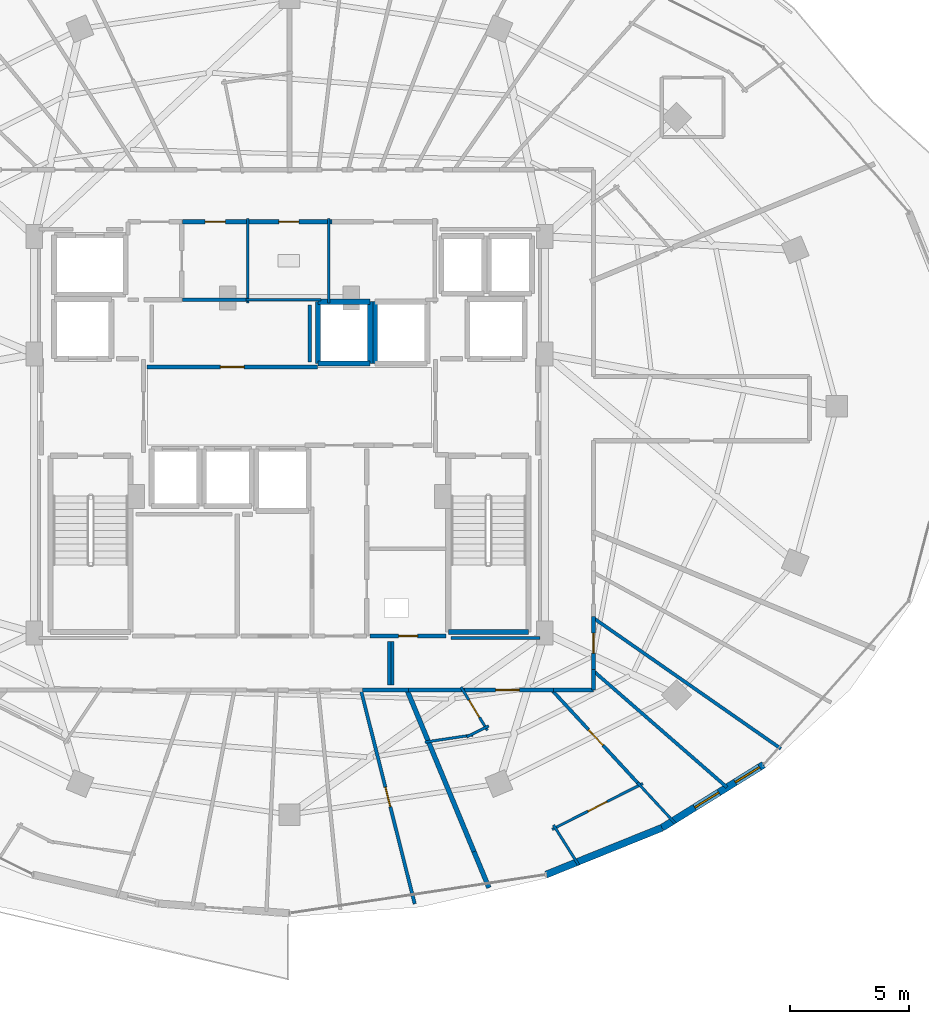
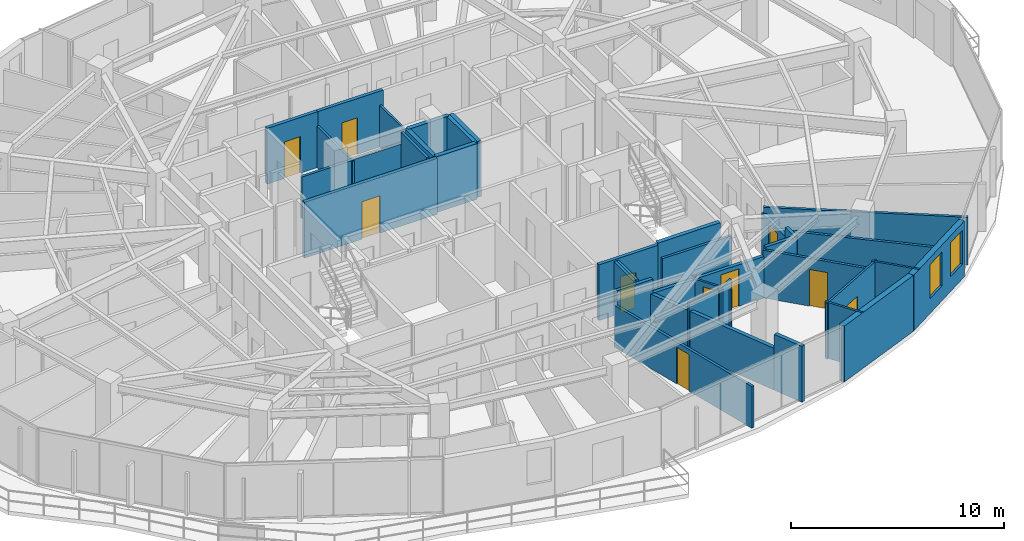
# One storey, part 27 of 33: 38 walls, 10 doors, 2 windows, 12 openings.
"""IFC4 building model written with IfcOpenShell, lengths in metres."""

from ifc_helpers import new_model, si_unit, direction, frame, frame_2d, origin, place, context, subcontext, project, spatial, rectangle, extrude, material, layer, layer_set, type_object, element, fill, save


model = new_model("IFC4")

# Units and contexts
model_context = context("Model", 3, precision=1e-05, world=origin(), true_north=direction((0.0, 1.0)))
body_context = subcontext(model_context, "Body", "Model", "MODEL_VIEW")
ifc_project = project(units=[si_unit("LENGTHUNIT", "METRE"), si_unit("AREAUNIT", "SQUARE_METRE"), si_unit("VOLUMEUNIT", "CUBIC_METRE"), si_unit("PLANEANGLEUNIT", "RADIAN"), si_unit("MASSUNIT", "GRAM", prefix="KILO")], contexts=[model_context])

# Site, building, storey
site_placement = place(None, origin())
site = spatial("IfcSite", under=ifc_project, at=site_placement, CompositionType="ELEMENT")
building_placement = place(site_placement, origin())
building = spatial("IfcBuilding", under=site, at=building_placement, Name="Vorneva Point Tower", CompositionType="ELEMENT")
storey_placement = place(building_placement, frame((0.0, 0.0, 221.39990234375)))
storey = spatial("IfcBuildingStorey", under=building, at=storey_placement, Name="L60", CompositionType="ELEMENT", Elevation=221.39990234375)

# Wall
ifc_material_1 = material(Name="Precast concrete B50 (C40/50)", Category="concrete")
ifc_layer_1 = layer(ifc_material_1, 0.300048828125)
ifc_layer_set_1 = layer_set([ifc_layer_1], Name="Precast concrete B50 (C40/50)")
wall_type_1 = type_object("IfcWallType", Name="WL-EXT-300", PredefinedType="STANDARD", material=ifc_layer_set_1)
wall_1_placement = place(storey_placement, frame((48.80322265625, 6.275146484375, 0.0), z_axis=(0.0, 0.0, 1.0), x_axis=(0.927111094334, 0.374786630981, 0.0)))
element("IfcWall", 1, at=wall_1_placement, inside=storey, type_object=wall_type_1, Name="L60 Pale-Metal Facade Spandrel Wall 14.1", PredefinedType="STANDARD", context=body_context, shape_type="SweptSolid", body=[
    extrude(rectangle(XDim=5.26416015625, YDim=0.300048828125, at=frame_2d((2.632080078125, 0.0))), origin(), (0.0, 0.0, 1.0), 3.2001953125),
])

# Wall, openings, windows
wall_2_placement = place(storey_placement, frame((53.68359375, 8.248046875, 0.0), z_axis=(0.0, 0.0, 1.0), x_axis=(0.849647657754, 0.527350791858, 0.0)))
wall_2 = element("IfcWall", 2, at=wall_2_placement, inside=storey, type_object=wall_type_1, Name="L60 Pale-Metal Facade Spandrel Wall 14.2", PredefinedType="STANDARD", context=body_context, shape_type="SweptSolid", body=[
    extrude(rectangle(XDim=5.03515625, YDim=0.300048828125, at=frame_2d((2.517578125, 0.0))), origin(), (0.0, 0.0, 1.0), 3.2001953125),
])
opening_1_placement = place(wall_2_placement, frame((1.62109375, 0.0, 0.85009765625)))
opening_1 = element("IfcOpeningElement", 3, at=opening_1_placement, cuts=wall_2, Name="Opening W-04", PredefinedType="OPENING", context=body_context, shape_type="SweptSolid", body=[
    extrude(rectangle(XDim=1.199951171875, YDim=1.949951171875, at=frame_2d((0.60009765625, 0.97509765625))), frame((0.0, 0.1650390625, 0.0), z_axis=(0.0, -1.0, 0.0), x_axis=(1.0, 0.0, 0.0)), (0.0, 0.0, 1.0), 0.329833984375),
])
opening_2_placement = place(wall_2_placement, frame((3.6357421875, 0.0, 0.85009765625)))
opening_2 = element("IfcOpeningElement", 4, at=opening_2_placement, cuts=wall_2, Name="Opening W-04", PredefinedType="OPENING", context=body_context, shape_type="SweptSolid", body=[
    extrude(rectangle(XDim=1.199951171875, YDim=1.949951171875, at=frame_2d((0.60009765625, 0.97509765625))), frame((0.0, 0.1650390625, 0.0), z_axis=(0.0, -1.0, 0.0), x_axis=(1.0, 0.0, 0.0)), (0.0, 0.0, 1.0), 0.329833984375),
])
ifc_material_2 = material(Name="Double low-e laminated glass IGU", Category="glass")
window_type = type_object("IfcWindowType", Name="WN-RES-1200", PartitioningType="SINGLE_PANEL", PredefinedType="WINDOW", material=ifc_material_2)
window_1_placement = place(opening_1_placement, origin())
window_1 = element("IfcWindow", 5, at=window_1_placement, inside=storey, type_object=window_type, Name="L60 Dwelling Vision Window 06", OverallHeight=1.949951171875, OverallWidth=1.199951171875, PartitioningType="SINGLE_PANEL", PredefinedType="WINDOW", context=body_context, shape_type="SweptSolid", body=[
    extrude(rectangle(XDim=1.199951171875, YDim=1.949951171875, at=frame_2d((0.60009765625, 0.97509765625))), frame((0.0, 0.030029296875, 0.0), z_axis=(0.0, -1.0, 0.0), x_axis=(1.0, 0.0, 0.0)), (0.0, 0.0, 1.0), 0.06005859375),
])
fill(opening_1, window_1)
window_2_placement = place(opening_2_placement, origin())
window_2 = element("IfcWindow", 6, at=window_2_placement, inside=storey, type_object=window_type, Name="L60 Dwelling Vision Window 07", OverallHeight=1.949951171875, OverallWidth=1.199951171875, PartitioningType="SINGLE_PANEL", PredefinedType="WINDOW", context=body_context, shape_type="SweptSolid", body=[
    extrude(rectangle(XDim=1.199951171875, YDim=1.949951171875, at=frame_2d((0.60009765625, 0.97509765625))), frame((0.0, 0.030029296875, 0.0), z_axis=(0.0, -1.0, 0.0), x_axis=(1.0, 0.0, 0.0)), (0.0, 0.0, 1.0), 0.06005859375),
])
fill(opening_2, window_2)

# Walls
ifc_material_3 = material(Name="Fire-rated acoustic gypsum stud partition", Category="gypsum")
ifc_layer_2 = layer(ifc_material_3, 0.110107421875)
ifc_layer_set_2 = layer_set([ifc_layer_2], Name="Fire-rated acoustic gypsum stud partition")
wall_type_2 = type_object("IfcWallType", Name="WL-PART-110", PredefinedType="PARTITIONING", material=ifc_layer_set_2)
for number, where, z_axis, x_axis, name in (
    (7, (36.25, 30.340087890625, 0.0), (0.0, 0.0, 1.0), (0.0, 1.0, 0.0), "L60 Interior Partition 019"),
    (8, (39.64990234375, 30.340087890625, 0.0), (0.0, 0.0, 1.0), (0.0, 1.0, 0.0), "L60 Interior Partition 022"),
):
    element("IfcWall", number, at=place(storey_placement, frame(where, z_axis=z_axis, x_axis=x_axis)), inside=storey, type_object=wall_type_2, Name=name, PredefinedType="PARTITIONING", context=body_context, shape_type="SweptSolid", body=[
        extrude(rectangle(XDim=3.559814453125, YDim=0.110107421875, at=frame_2d((1.77978515625, 0.0))), origin(), (0.0, 0.0, 1.0), 2.39208984375),
    ])
wall_3_placement = place(storey_placement, frame((36.159912109375, 30.47998046875, 0.0), z_axis=(0.0, 0.0, 1.0), x_axis=(1.0, 0.0, 0.0)))
element("IfcWall", 9, at=wall_3_placement, inside=storey, type_object=wall_type_2, Name="L60 Interior Partition 023", PredefinedType="PARTITIONING", context=body_context, shape_type="SweptSolid", body=[
    extrude(rectangle(XDim=3.16015625, YDim=0.110107421875, at=frame_2d((1.580078125, 0.0))), origin(), (0.0, 0.0, 1.0), 2.39208984375),
])

# Wall, opening, door
wall_4_placement = place(storey_placement, frame((45.22412109375, 14.16943359375, 0.0), z_axis=(0.0, 0.0, 1.0), x_axis=(0.52123627541, -0.853412412141, 0.0)))
wall_4 = element("IfcWall", 10, at=wall_4_placement, inside=storey, type_object=wall_type_2, Name="L60 Interior Partition 148", PredefinedType="PARTITIONING", context=body_context, shape_type="SweptSolid", body=[
    extrude(rectangle(XDim=2.12548828125, YDim=0.110107421875, at=frame_2d((1.062744140625, 0.0))), origin(), (0.0, 0.0, 1.0), 2.39208984375),
])
opening_3_placement = place(wall_4_placement, frame((0.6376953125, 0.0, 0.0)))
opening_3 = element("IfcOpeningElement", 11, at=opening_3_placement, cuts=wall_4, Name="Opening ID-02", PredefinedType="OPENING", context=body_context, shape_type="SweptSolid", body=[
    extrude(rectangle(XDim=0.85009765625, YDim=2.10009765625, at=frame_2d((0.425048828125, 1.050048828125))), frame((0.0, 0.06982421875, 0.0), z_axis=(0.0, -1.0, 0.0), x_axis=(1.0, 0.0, 0.0)), (0.0, 0.0, 1.0), 0.139892578125),
])
ifc_material_4 = material(Name="Engineered oak fire-rated door leaf", Category="wood")
door_type_1 = type_object("IfcDoorType", Name="DR-BATH-850", OperationType="NOTDEFINED", PredefinedType="DOOR", material=ifc_material_4)
door_1_placement = place(opening_3_placement, origin())
door_1 = element("IfcDoor", 12, at=door_1_placement, inside=storey, type_object=door_type_1, Name="L60 Door Living and Dining Room L60-05 / Bathroom L60-05", OperationType="SINGLE_SWING_LEFT", OverallHeight=2.10009765625, OverallWidth=0.85009765625, PredefinedType="DOOR", context=body_context, shape_type="SweptSolid", body=[
    extrude(rectangle(XDim=0.85009765625, YDim=2.10009765625, at=frame_2d((0.425048828125, 1.050048828125))), frame((0.0, 0.02490234375, 0.0), z_axis=(0.0, -1.0, 0.0), x_axis=(1.0, 0.0, 0.0)), (0.0, 0.0, 1.0), 0.050048828125),
])
fill(opening_3, door_1)

# Walls
wall_5_placement = place(storey_placement, frame((46.384033203125, 12.5380859375, 0.0), z_axis=(0.0, 0.0, 1.0), x_axis=(-0.892613755874, -0.450822229737, 0.0)))
element("IfcWall", 13, at=wall_5_placement, inside=storey, type_object=wall_type_2, Name="L60 Interior Partition 149", PredefinedType="PARTITIONING", context=body_context, shape_type="SweptSolid", body=[
    extrude(rectangle(XDim=1.02734375, YDim=0.110107421875, at=frame_2d((0.513671875, 0.0))), origin(), (0.0, 0.0, 1.0), 2.88916015625),
])
wall_6_placement = place(storey_placement, frame((45.73046875, 12.15869140625, 0.0), z_axis=(0.0, 0.0, 1.0), x_axis=(-0.98887923552, -0.148720736812, 0.0)))
element("IfcWall", 14, at=wall_6_placement, inside=storey, type_object=wall_type_2, Name="L60 Interior Partition 150", PredefinedType="PARTITIONING", context=body_context, shape_type="SweptSolid", body=[
    extrude(rectangle(XDim=2.04052734375, YDim=0.110107421875, at=frame_2d((1.020263671875, 0.0))), origin(), (0.0, 0.0, 1.0), 2.88916015625),
])

# Wall, opening, door
wall_7_placement = place(storey_placement, frame((49.06396484375, 8.182861328125, 0.0), z_axis=(0.0, 0.0, 1.0), x_axis=(0.892520393298, 0.451007037136, 0.0)))
wall_7 = element("IfcWall", 15, at=wall_7_placement, inside=storey, type_object=wall_type_2, Name="L60 Interior Partition 151", PredefinedType="PARTITIONING", context=body_context, shape_type="SweptSolid", body=[
    extrude(rectangle(XDim=4.268798828125, YDim=0.110107421875, at=frame_2d((2.13427734375, 0.0))), origin(), (0.0, 0.0, 1.0), 3.2001953125),
])
opening_4_placement = place(wall_7_placement, frame((1.684326171875, 0.0, 0.0)))
opening_4 = element("IfcOpeningElement", 16, at=opening_4_placement, cuts=wall_7, Name="Opening ID-01", PredefinedType="OPENING", context=body_context, shape_type="SweptSolid", body=[
    extrude(rectangle(XDim=0.89990234375, YDim=2.10009765625, at=frame_2d((0.449951171875, 1.050048828125))), frame((0.0, 0.06982421875, 0.0), z_axis=(0.0, -1.0, 0.0), x_axis=(1.0, 0.0, 0.0)), (0.0, 0.0, 1.0), 0.139892578125),
])
door_type_2 = type_object("IfcDoorType", Name="DR-ROOM-900", OperationType="NOTDEFINED", PredefinedType="DOOR", material=ifc_material_4)
door_2_placement = place(opening_4_placement, origin())
door_2 = element("IfcDoor", 17, at=door_2_placement, inside=storey, type_object=door_type_2, Name="L60 Door Living and Dining Room L60-05 / Kitchen L60-05", OperationType="SINGLE_SWING_RIGHT", OverallHeight=2.10009765625, OverallWidth=0.89990234375, PredefinedType="DOOR", context=body_context, shape_type="SweptSolid", body=[
    extrude(rectangle(XDim=0.89990234375, YDim=2.10009765625, at=frame_2d((0.449951171875, 1.050048828125))), frame((0.0, 0.02490234375, 0.0), z_axis=(0.0, -1.0, 0.0), x_axis=(1.0, 0.0, 0.0)), (0.0, 0.0, 1.0), 0.050048828125),
])
fill(opening_4, door_2)

# Walls
wall_8_placement = place(storey_placement, frame((50.174560546875, 6.681396484375, 0.0), z_axis=(0.0, 0.0, 1.0), x_axis=(-0.532930456912, 0.846159044208, 0.0)))
element("IfcWall", 18, at=wall_8_placement, inside=storey, type_object=wall_type_2, Name="L60 Interior Partition 152", PredefinedType="PARTITIONING", context=body_context, shape_type="SweptSolid", body=[
    extrude(rectangle(XDim=1.989013671875, YDim=0.110107421875, at=frame_2d((0.99462890625, 0.0))), origin(), (0.0, 0.0, 1.0), 3.2001953125),
])
wall_9_placement = place(storey_placement, frame((54.239990234375, 8.43212890625, 0.0), z_axis=(0.0, 0.0, 1.0), x_axis=(-0.678818101482, 0.734306465381, 0.0)))
element("IfcWall", 19, at=wall_9_placement, inside=storey, type_object=wall_type_2, Name="L60 Interior Partition 154", PredefinedType="PARTITIONING", context=body_context, shape_type="SweptSolid", body=[
    extrude(rectangle(XDim=2.33642578125, YDim=0.110107421875, at=frame_2d((1.168212890625, 0.0))), origin(), (0.0, 0.0, 1.0), 3.2001953125),
])
ifc_layer_3 = layer(ifc_material_3, 0.139892578125)
ifc_layer_set_3 = layer_set([ifc_layer_3], Name="Fire-rated acoustic gypsum stud partition")
wall_type_3 = type_object("IfcWallType", Name="WL-PART-140", PredefinedType="PARTITIONING", material=ifc_layer_set_3)
wall_10_placement = place(storey_placement, frame((33.5, 30.47998046875, 0.0), z_axis=(0.0, 0.0, 1.0), x_axis=(1.0, 0.0, 0.0)))
element("IfcWall", 20, at=wall_10_placement, inside=storey, type_object=wall_type_3, Name="L60 Interior Partition 020", PredefinedType="PARTITIONING", context=body_context, shape_type="SweptSolid", body=[
    extrude(rectangle(XDim=2.75, YDim=0.139892578125, at=frame_2d((1.375, 0.0))), origin(), (0.0, 0.0, 1.0), 2.39208984375),
])

# Wall, opening, door
wall_11_placement = place(storey_placement, frame((43.27490234375, 5.0439453125, 0.0), z_axis=(0.0, 0.0, 1.0), x_axis=(-0.244087876961, 0.969753117201, 0.0)))
wall_11 = element("IfcWall", 21, at=wall_11_placement, inside=storey, type_object=wall_type_3, Name="L60 Interior Partition 145", PredefinedType="PARTITIONING", context=body_context, shape_type="SweptSolid", body=[
    extrude(rectangle(XDim=9.287109375, YDim=0.139892578125, at=frame_2d((4.6435546875, 0.0))), origin(), (0.0, 0.0, 1.0), 2.39208984375),
])
opening_5_placement = place(wall_11_placement, frame((4.218505859375, 0.0, 0.0)))
opening_5 = element("IfcOpeningElement", 22, at=opening_5_placement, cuts=wall_11, Name="Opening ID-02", PredefinedType="OPENING", context=body_context, shape_type="SweptSolid", body=[
    extrude(rectangle(XDim=0.85009765625, YDim=2.10009765625, at=frame_2d((0.425048828125, 1.050048828125))), frame((0.0, 0.0849609375, 0.0), z_axis=(0.0, -1.0, 0.0), x_axis=(1.0, 0.0, 0.0)), (0.0, 0.0, 1.0), 0.169677734375),
])
door_3_placement = place(opening_5_placement, origin())
door_3 = element("IfcDoor", 23, at=door_3_placement, inside=storey, type_object=door_type_1, Name="L60 Access Door Bedroom L60-04.4", OperationType="SINGLE_SWING_LEFT", OverallHeight=2.10009765625, OverallWidth=0.85009765625, PredefinedType="DOOR", context=body_context, shape_type="SweptSolid", body=[
    extrude(rectangle(XDim=0.85009765625, YDim=2.10009765625, at=frame_2d((0.425048828125, 1.050048828125))), frame((0.0, 0.02490234375, 0.0), z_axis=(0.0, -1.0, 0.0), x_axis=(1.0, 0.0, 0.0)), (0.0, 0.0, 1.0), 0.050048828125),
])
fill(opening_5, door_3)

wall_12_placement = place(storey_placement, frame((52.7490234375, 10.044921875, 0.0), z_axis=(0.0, 0.0, 1.0), x_axis=(-0.678882171058, 0.734247232081, 0.0)))
wall_12 = element("IfcWall", 24, at=wall_12_placement, inside=storey, type_object=wall_type_3, Name="L60 Interior Partition 153", PredefinedType="PARTITIONING", context=body_context, shape_type="SweptSolid", body=[
    extrude(rectangle(XDim=5.454833984375, YDim=0.139892578125, at=frame_2d((2.7275390625, 0.0))), origin(), (0.0, 0.0, 1.0), 2.734130859375),
])
opening_6_placement = place(wall_12_placement, frame((2.27734375, 0.0, 0.0)))
opening_6 = element("IfcOpeningElement", 25, at=opening_6_placement, cuts=wall_12, Name="Opening ID-01", PredefinedType="OPENING", context=body_context, shape_type="SweptSolid", body=[
    extrude(rectangle(XDim=0.89990234375, YDim=2.10009765625, at=frame_2d((0.449951171875, 1.050048828125))), frame((0.0, 0.0849609375, 0.0), z_axis=(0.0, -1.0, 0.0), x_axis=(1.0, 0.0, 0.0)), (0.0, 0.0, 1.0), 0.169677734375),
])
door_4_placement = place(opening_6_placement, origin())
door_4 = element("IfcDoor", 26, at=door_4_placement, inside=storey, type_object=door_type_2, Name="L60 Door Living and Dining Room L60-05 / Master Bedroom L60-05.1", OperationType="SINGLE_SWING_LEFT", OverallHeight=2.10009765625, OverallWidth=0.89990234375, PredefinedType="DOOR", context=body_context, shape_type="SweptSolid", body=[
    extrude(rectangle(XDim=0.89990234375, YDim=2.10009765625, at=frame_2d((0.449951171875, 1.050048828125))), frame((0.0, 0.02490234375, 0.0), z_axis=(0.0, -1.0, 0.0), x_axis=(1.0, 0.0, 0.0)), (0.0, 0.0, 1.0), 0.050048828125),
])
fill(opening_6, door_4)

# Walls
wall_13_placement = place(storey_placement, frame((56.422119140625, 9.950927734375, 0.0), z_axis=(0.0, 0.0, 1.0), x_axis=(-0.753978537067, 0.656899052856, 0.0)))
element("IfcWall", 27, at=wall_13_placement, inside=storey, type_object=wall_type_3, Name="L60 Interior Partition 155", PredefinedType="PARTITIONING", context=body_context, shape_type="SweptSolid", body=[
    extrude(rectangle(XDim=7.45654296875, YDim=0.139892578125, at=frame_2d((3.728271484375, 0.0))), origin(), (0.0, 0.0, 1.0), 2.734130859375),
])
wall_14_placement = place(storey_placement, frame((58.69189453125, 11.577880859375, 0.0), z_axis=(0.0, 0.0, 1.0), x_axis=(-0.820357038452, 0.571851667361, 0.0)))
element("IfcWall", 28, at=wall_14_placement, inside=storey, type_object=wall_type_3, Name="L60 Interior Partition 156", PredefinedType="PARTITIONING", context=body_context, shape_type="SweptSolid", body=[
    extrude(rectangle(XDim=9.6201171875, YDim=0.139892578125, at=frame_2d((4.81005859375, 0.0))), origin(), (0.0, 0.0, 1.0), 2.734130859375),
])
wall_15_placement = place(storey_placement, frame((38.85009765625, 27.8701171875, 0.0), z_axis=(0.0, 0.0, 1.0), x_axis=(0.0, 1.0, 0.0)))
element("IfcWall", 29, at=wall_15_placement, inside=storey, type_object=wall_type_3, Name="L60 Interior Closure Partition 168", PredefinedType="PARTITIONING", context=body_context, shape_type="SweptSolid", body=[
    extrude(rectangle(XDim=2.389892578125, YDim=0.139892578125, at=frame_2d((1.19482421875, 0.0))), origin(), (0.0, 0.0, 1.0), 3.2001953125),
])
for number, where, z_axis, x_axis, name in (
    (30, (42.199951171875, 16.10009765625, 0.0), (0.0, 0.0, 1.0), (0.0, -1.0, 0.0), "L60 Interior Closure Partition 177"),
    (31, (42.340087890625, 14.27001953125, 0.0), (0.0, 0.0, 1.0), (0.0, 1.0, 0.0), "L60 Interior Closure Partition 178"),
):
    element("IfcWall", number, at=place(storey_placement, frame(where, z_axis=z_axis, x_axis=x_axis)), inside=storey, type_object=wall_type_3, Name=name, PredefinedType="PARTITIONING", context=body_context, shape_type="SweptSolid", body=[
        extrude(rectangle(XDim=1.830078125, YDim=0.139892578125, at=frame_2d((0.9150390625, 0.0))), origin(), (0.0, 0.0, 1.0), 3.2001953125),
    ])
wall_16_placement = place(storey_placement, frame((44.804931640625, 16.239990234375, 0.0), z_axis=(0.0, 0.0, 1.0), x_axis=(1.0, 0.0, 0.0)))
element("IfcWall", 32, at=wall_16_placement, inside=storey, type_object=wall_type_3, Name="L60 Interior Closure Partition 179", PredefinedType="PARTITIONING", context=body_context, shape_type="SweptSolid", body=[
    extrude(rectangle(XDim=3.7451171875, YDim=0.139892578125, at=frame_2d((1.87255859375, 0.0))), origin(), (0.0, 0.0, 1.0), 2.39208984375),
])

# Wall, opening, door
ifc_material_5 = material(Name="Autoclaved aerated concrete blockwork", Category="masonry")
ifc_layer_4 = layer(ifc_material_5, 0.179931640625)
ifc_layer_set_4 = layer_set([ifc_layer_4], Name="Autoclaved aerated concrete blockwork")
wall_type_4 = type_object("IfcWallType", Name="WL-PART-180", PredefinedType="PARTITIONING", material=ifc_layer_set_4)
wall_17_placement = place(storey_placement, frame((39.18994140625, 27.64990234375, 0.0), z_axis=(0.0, 0.0, 1.0), x_axis=(-1.0, 0.0, 0.0)))
wall_17 = element("IfcWall", 33, at=wall_17_placement, inside=storey, type_object=wall_type_4, Name="L60 Interior Partition 012", PredefinedType="PARTITIONING", context=body_context, shape_type="SweptSolid", body=[
    extrude(rectangle(XDim=7.18994140625, YDim=0.179931640625, at=frame_2d((3.594970703125, 0.0))), origin(), (0.0, 0.0, 1.0), 3.2001953125),
])
opening_7_placement = place(wall_17_placement, frame((3.094970703125, 0.0, 0.0)))
opening_7 = element("IfcOpeningElement", 34, at=opening_7_placement, cuts=wall_17, Name="Opening UD-01", PredefinedType="OPENING", context=body_context, shape_type="SweptSolid", body=[
    extrude(rectangle(XDim=1.0, YDim=2.14990234375, at=frame_2d((0.5, 1.074951171875))), frame((0.0, 0.10498046875, 0.0), z_axis=(0.0, -1.0, 0.0), x_axis=(1.0, 0.0, 0.0)), (0.0, 0.0, 1.0), 0.209716796875),
])
door_type_3 = type_object("IfcDoorType", Name="DR-UNIT-1000", OperationType="NOTDEFINED", PredefinedType="DOOR", material=ifc_material_4)
door_5_placement = place(opening_7_placement, origin())
door_5 = element("IfcDoor", 35, at=door_5_placement, inside=storey, type_object=door_type_3, Name="L60 Door Central Lift Lobby / Reclaimed Core Meeting Room", OperationType="SINGLE_SWING_RIGHT", OverallHeight=2.14990234375, OverallWidth=1.0, PredefinedType="DOOR", context=body_context, shape_type="SweptSolid", body=[
    extrude(rectangle(XDim=1.0, YDim=2.14990234375, at=frame_2d((0.5, 1.074951171875))), frame((0.0, 0.02490234375, 0.0), z_axis=(0.0, -1.0, 0.0), x_axis=(1.0, 0.0, 0.0)), (0.0, 0.0, 1.0), 0.050048828125),
])
fill(opening_7, door_5)

wall_18_placement = place(storey_placement, frame((41.39990234375, 16.320068359375, 0.0), z_axis=(0.0, 0.0, 1.0), x_axis=(1.0, 0.0, 0.0)))
wall_18 = element("IfcWall", 36, at=wall_18_placement, inside=storey, type_object=wall_type_4, Name="L60 Interior Partition 018", PredefinedType="PARTITIONING", context=body_context, shape_type="SweptSolid", body=[
    extrude(rectangle(XDim=3.2001953125, YDim=0.179931640625, at=frame_2d((1.60009765625, 0.0))), origin(), (0.0, 0.0, 1.0), 3.2001953125),
])
opening_8_placement = place(wall_18_placement, frame((1.199951171875, 0.0, 0.0)))
opening_8 = element("IfcOpeningElement", 37, at=opening_8_placement, cuts=wall_18, Name="Opening RD-01", PredefinedType="OPENING", context=body_context, shape_type="SweptSolid", body=[
    extrude(rectangle(XDim=0.800048828125, YDim=2.050048828125, at=frame_2d((0.39990234375, 1.02490234375))), frame((0.0, 0.10498046875, 0.0), z_axis=(0.0, -1.0, 0.0), x_axis=(1.0, 0.0, 0.0)), (0.0, 0.0, 1.0), 0.209716796875),
])
ifc_material_6 = material(Name="Fire-rated powder-coated steel", Category="steel")
door_type_4 = type_object("IfcDoorType", Name="DR-RSR-800", OperationType="SINGLE_SWING_LEFT", PredefinedType="DOOR", material=ifc_material_6)
door_6_placement = place(opening_8_placement, origin())
door_6 = element("IfcDoor", 38, at=door_6_placement, inside=storey, type_object=door_type_4, Name="L60 Door Electrical Riser / L60 Circulation Corridor", OperationType="SINGLE_SWING_LEFT", OverallHeight=2.050048828125, OverallWidth=0.800048828125, PredefinedType="DOOR", context=body_context, shape_type="SweptSolid", body=[
    extrude(rectangle(XDim=0.800048828125, YDim=2.050048828125, at=frame_2d((0.39990234375, 1.02490234375))), frame((0.0, 0.02490234375, 0.0), z_axis=(0.0, -1.0, 0.0), x_axis=(1.0, 0.0, 0.0)), (0.0, 0.0, 1.0), 0.050048828125),
])
fill(opening_8, door_6)

wall_19_placement = place(storey_placement, frame((36.25, 33.760009765625, 0.0), z_axis=(0.0, 0.0, 1.0), x_axis=(-1.0, 0.0, 0.0)))
wall_19 = element("IfcWall", 39, at=wall_19_placement, inside=storey, type_object=wall_type_4, Name="L60 Interior Partition 021", PredefinedType="PARTITIONING", context=body_context, shape_type="SweptSolid", body=[
    extrude(rectangle(XDim=2.75, YDim=0.179931640625, at=frame_2d((1.375, 0.0))), origin(), (0.0, 0.0, 1.0), 3.2001953125),
])
opening_9_placement = place(wall_19_placement, frame((0.949951171875, 0.0, 0.0)))
opening_9 = element("IfcOpeningElement", 40, at=opening_9_placement, cuts=wall_19, Name="Opening ID-02", PredefinedType="OPENING", context=body_context, shape_type="SweptSolid", body=[
    extrude(rectangle(XDim=0.85009765625, YDim=2.10009765625, at=frame_2d((0.425048828125, 1.050048828125))), frame((0.0, 0.10498046875, 0.0), z_axis=(0.0, -1.0, 0.0), x_axis=(1.0, 0.0, 0.0)), (0.0, 0.0, 1.0), 0.209716796875),
])
door_7_placement = place(opening_9_placement, origin())
door_7 = element("IfcDoor", 41, at=door_7_placement, inside=storey, type_object=door_type_1, Name="L60 Door Core Supply Store / L60 Circulation Corridor", OperationType="SINGLE_SWING_RIGHT", OverallHeight=2.10009765625, OverallWidth=0.85009765625, PredefinedType="DOOR", context=body_context, shape_type="SweptSolid", body=[
    extrude(rectangle(XDim=0.85009765625, YDim=2.10009765625, at=frame_2d((0.425048828125, 1.050048828125))), frame((0.0, 0.02490234375, 0.0), z_axis=(0.0, -1.0, 0.0), x_axis=(1.0, 0.0, 0.0)), (0.0, 0.0, 1.0), 0.050048828125),
])
fill(opening_9, door_7)

wall_20_placement = place(storey_placement, frame((39.7900390625, 33.760009765625, 0.0), z_axis=(0.0, 0.0, 1.0), x_axis=(-1.0, 0.0, 0.0)))
wall_20 = element("IfcWall", 42, at=wall_20_placement, inside=storey, type_object=wall_type_4, Name="L60 Interior Partition 024", PredefinedType="PARTITIONING", context=body_context, shape_type="SweptSolid", body=[
    extrude(rectangle(XDim=3.630126953125, YDim=0.179931640625, at=frame_2d((1.81494140625, 0.0))), origin(), (0.0, 0.0, 1.0), 3.2001953125),
])
opening_10_placement = place(wall_20_placement, frame((1.389892578125, 0.0, 0.0)))
opening_10 = element("IfcOpeningElement", 43, at=opening_10_placement, cuts=wall_20, Name="Opening ID-02", PredefinedType="OPENING", context=body_context, shape_type="SweptSolid", body=[
    extrude(rectangle(XDim=0.85009765625, YDim=2.10009765625, at=frame_2d((0.425048828125, 1.050048828125))), frame((0.0, 0.10498046875, 0.0), z_axis=(0.0, -1.0, 0.0), x_axis=(1.0, 0.0, 0.0)), (0.0, 0.0, 1.0), 0.209716796875),
])
door_8_placement = place(opening_10_placement, origin())
door_8 = element("IfcDoor", 44, at=door_8_placement, inside=storey, type_object=door_type_1, Name="L60 Door Accessible WC / L60 Circulation Corridor", OperationType="SINGLE_SWING_LEFT", OverallHeight=2.10009765625, OverallWidth=0.85009765625, PredefinedType="DOOR", context=body_context, shape_type="SweptSolid", body=[
    extrude(rectangle(XDim=0.85009765625, YDim=2.10009765625, at=frame_2d((0.425048828125, 1.050048828125))), frame((0.0, 0.02490234375, 0.0), z_axis=(0.0, -1.0, 0.0), x_axis=(1.0, 0.0, 0.0)), (0.0, 0.0, 1.0), 0.050048828125),
])
fill(opening_10, door_8)

# Wall
wall_21_placement = place(storey_placement, frame((41.070068359375, 14.050048828125, 0.0), z_axis=(0.0, 0.0, 1.0), x_axis=(1.0, 0.0, 0.0)))
element("IfcWall", 45, at=wall_21_placement, inside=storey, type_object=wall_type_4, Name="L60 Interior Partition 067", PredefinedType="PARTITIONING", context=body_context, shape_type="SweptSolid", body=[
    extrude(rectangle(XDim=1.94482421875, YDim=0.179931640625, at=frame_2d((0.972412109375, 0.0))), origin(), (0.0, 0.0, 1.0), 3.2001953125),
])

# Wall, opening, door
wall_22_placement = place(storey_placement, frame((45.237060546875, 14.050048828125, 0.0), z_axis=(0.0, 0.0, 1.0), x_axis=(1.0, 0.0, 0.0)))
wall_22 = element("IfcWall", 46, at=wall_22_placement, inside=storey, type_object=wall_type_4, Name="L60 Interior Partition 068", PredefinedType="PARTITIONING", context=body_context, shape_type="SweptSolid", body=[
    extrude(rectangle(XDim=3.890869140625, YDim=0.179931640625, at=frame_2d((1.9453125, 0.0))), origin(), (0.0, 0.0, 1.0), 2.39208984375),
])
opening_11_placement = place(wall_22_placement, frame((1.445556640625, 0.0, 0.0)))
opening_11 = element("IfcOpeningElement", 47, at=opening_11_placement, cuts=wall_22, Name="Opening UD-01", PredefinedType="OPENING", context=body_context, shape_type="SweptSolid", body=[
    extrude(rectangle(XDim=1.0, YDim=2.14990234375, at=frame_2d((0.5, 1.074951171875))), frame((0.0, 0.10498046875, 0.0), z_axis=(0.0, -1.0, 0.0), x_axis=(1.0, 0.0, 0.0)), (0.0, 0.0, 1.0), 0.209716796875),
])
door_9_placement = place(opening_11_placement, origin())
door_9 = element("IfcDoor", 48, at=door_9_placement, inside=storey, type_object=door_type_3, Name="L60 Door L60 Circulation Corridor / Living and Dining Room L60-05", OperationType="SINGLE_SWING_LEFT", OverallHeight=2.14990234375, OverallWidth=1.0, PredefinedType="DOOR", context=body_context, shape_type="SweptSolid", body=[
    extrude(rectangle(XDim=1.0, YDim=2.14990234375, at=frame_2d((0.5, 1.074951171875))), frame((0.0, 0.02490234375, 0.0), z_axis=(0.0, -1.0, 0.0), x_axis=(1.0, 0.0, 0.0)), (0.0, 0.0, 1.0), 0.050048828125),
])
fill(opening_11, door_9)

# Walls
wall_23_placement = place(storey_placement, frame((42.875, 14.050048828125, 0.0), z_axis=(0.0, 0.0, 1.0), x_axis=(1.0, 0.0, 0.0)))
element("IfcWall", 49, at=wall_23_placement, inside=storey, type_object=wall_type_4, Name="L60 Interior Partition 069", PredefinedType="PARTITIONING", context=body_context, shape_type="SweptSolid", body=[
    extrude(rectangle(XDim=2.501953125, YDim=0.179931640625, at=frame_2d((1.2509765625, 0.0))), origin(), (0.0, 0.0, 1.0), 2.39208984375),
])
wall_24_placement = place(storey_placement, frame((49.1279296875, 14.050048828125, 0.0), z_axis=(0.0, 0.0, 1.0), x_axis=(1.0, 0.0, 0.0)))
element("IfcWall", 50, at=wall_24_placement, inside=storey, type_object=wall_type_4, Name="L60 Interior Partition 070", PredefinedType="PARTITIONING", context=body_context, shape_type="SweptSolid", body=[
    extrude(rectangle(XDim=1.672119140625, YDim=0.179931640625, at=frame_2d((0.8359375, 0.0))), origin(), (0.0, 0.0, 1.0), 2.88916015625),
])
wall_25_placement = place(storey_placement, frame((50.800048828125, 14.050048828125, 0.0), z_axis=(0.0, 0.0, 1.0), x_axis=(0.0, 1.0, 0.0)))
element("IfcWall", 51, at=wall_25_placement, inside=storey, type_object=wall_type_4, Name="L60 Interior Partition 071", PredefinedType="PARTITIONING", context=body_context, shape_type="SweptSolid", body=[
    extrude(rectangle(XDim=0.85888671875, YDim=0.179931640625, at=frame_2d((0.429443359375, 0.0))), origin(), (0.0, 0.0, 1.0), 2.88916015625),
])

# Wall, opening, door
wall_26_placement = place(storey_placement, frame((50.800048828125, 14.908935546875, 0.0), z_axis=(0.0, 0.0, 1.0), x_axis=(0.0, 1.0, 0.0)))
wall_26 = element("IfcWall", 52, at=wall_26_placement, inside=storey, type_object=wall_type_4, Name="L60 Interior Partition 072", PredefinedType="PARTITIONING", context=body_context, shape_type="SweptSolid", body=[
    extrude(rectangle(XDim=2.22998046875, YDim=0.179931640625, at=frame_2d((1.114990234375, 0.0))), origin(), (0.0, 0.0, 1.0), 2.39208984375),
])
opening_12_placement = place(wall_26_placement, frame((0.68994140625, 0.0, 0.0)))
opening_12 = element("IfcOpeningElement", 53, at=opening_12_placement, cuts=wall_26, Name="Opening ID-02", PredefinedType="OPENING", context=body_context, shape_type="SweptSolid", body=[
    extrude(rectangle(XDim=0.85009765625, YDim=2.10009765625, at=frame_2d((0.425048828125, 1.050048828125))), frame((0.0, 0.10498046875, 0.0), z_axis=(0.0, -1.0, 0.0), x_axis=(1.0, 0.0, 0.0)), (0.0, 0.0, 1.0), 0.209716796875),
])
door_10_placement = place(opening_12_placement, origin())
door_10 = element("IfcDoor", 54, at=door_10_placement, inside=storey, type_object=door_type_1, Name="L60 Access Door L60 Circulation Corridor", OperationType="SINGLE_SWING_RIGHT", OverallHeight=2.10009765625, OverallWidth=0.85009765625, PredefinedType="DOOR", context=body_context, shape_type="SweptSolid", body=[
    extrude(rectangle(XDim=0.85009765625, YDim=2.10009765625, at=frame_2d((0.425048828125, 1.050048828125))), frame((0.0, 0.02490234375, 0.0), z_axis=(0.0, -1.0, 0.0), x_axis=(1.0, 0.0, 0.0)), (0.0, 0.0, 1.0), 0.050048828125),
])
fill(opening_12, door_10)

# Walls
ifc_layer_5 = layer(ifc_material_5, 0.199951171875)
ifc_layer_set_5 = layer_set([ifc_layer_5], Name="Autoclaved aerated concrete blockwork")
wall_type_5 = type_object("IfcWallType", Name="WL-PART-200", PredefinedType="PARTITIONING", material=ifc_layer_set_5)
wall_27_placement = place(storey_placement, frame((46.39794921875, 5.72509765625, 0.0), z_axis=(0.0, 0.0, 1.0), x_axis=(-0.382789247432, 0.923835695376, 0.0)))
element("IfcWall", 55, at=wall_27_placement, inside=storey, type_object=wall_type_5, Name="L60 Interior Partition 146", PredefinedType="PARTITIONING", context=body_context, shape_type="SweptSolid", body=[
    extrude(rectangle(XDim=1.64306640625, YDim=0.199951171875, at=frame_2d((0.821533203125, 0.0))), origin(), (0.0, 0.0, 1.0), 3.2001953125),
])
wall_28_placement = place(storey_placement, frame((45.76904296875, 7.242919921875, 0.0), z_axis=(0.0, 0.0, 1.0), x_axis=(-0.382623964136, 0.923904162816, 0.0)))
element("IfcWall", 56, at=wall_28_placement, inside=storey, type_object=wall_type_5, Name="L60 Interior Partition 147", PredefinedType="PARTITIONING", context=body_context, shape_type="SweptSolid", body=[
    extrude(rectangle(XDim=7.36767578125, YDim=0.199951171875, at=frame_2d((3.683837890625, 0.0))), origin(), (0.0, 0.0, 1.0), 2.39208984375),
])
ifc_material_7 = material(Name="Concrete B50 (C40/50)", Category="concrete")
ifc_layer_6 = layer(ifc_material_7, 0.219970703125)
ifc_layer_set_6 = layer_set([ifc_layer_6], Name="Concrete B50 (C40/50)")
wall_type_6 = type_object("IfcWallType", Name="WL-SHFT-220", PredefinedType="SOLIDWALL", material=ifc_layer_set_6)
wall_29_placement = place(storey_placement, frame((48.06005859375, 16.489990234375, 0.0), z_axis=(0.0, 0.0, 1.0), x_axis=(-1.0, 0.0, 0.0)))
element("IfcWall", 57, at=wall_29_placement, inside=storey, type_object=wall_type_6, Name="L60 Exit Stair ST2 Shaft Wall far", PredefinedType="SOLIDWALL", context=body_context, shape_type="SweptSolid", body=[
    extrude(rectangle(XDim=3.3701171875, YDim=0.219970703125, at=frame_2d((1.68505859375, 0.0))), origin(), (0.0, 0.0, 1.0), 3.2001953125),
])
wall_30_placement = place(storey_placement, frame((39.199951171875, 27.800048828125, 0.0), z_axis=(0.0, 0.0, 1.0), x_axis=(1.0, 0.0, 0.0)))
element("IfcWall", 58, at=wall_30_placement, inside=storey, type_object=wall_type_6, Name="L60 Lift PL7 Shaft Wall -Y", PredefinedType="SOLIDWALL", context=body_context, shape_type="SweptSolid", body=[
    extrude(rectangle(XDim=2.199951171875, YDim=0.219970703125, at=frame_2d((1.10009765625, 0.0))), origin(), (0.0, 0.0, 1.0), 3.2001953125),
])
wall_31_placement = place(storey_placement, frame((41.39990234375, 27.800048828125, 0.0), z_axis=(0.0, 0.0, 1.0), x_axis=(0.0, 1.0, 0.0)))
element("IfcWall", 59, at=wall_31_placement, inside=storey, type_object=wall_type_6, Name="L60 Lift PL7 Shaft Wall +X", PredefinedType="SOLIDWALL", context=body_context, shape_type="SweptSolid", body=[
    extrude(rectangle(XDim=2.599853515625, YDim=0.219970703125, at=frame_2d((1.2998046875, 0.0))), origin(), (0.0, 0.0, 1.0), 3.2001953125),
])
wall_32_placement = place(storey_placement, frame((41.39990234375, 30.39990234375, 0.0), z_axis=(0.0, 0.0, 1.0), x_axis=(-1.0, 0.0, 0.0)))
element("IfcWall", 60, at=wall_32_placement, inside=storey, type_object=wall_type_6, Name="L60 Lift PL7 Shaft Wall +Y", PredefinedType="SOLIDWALL", context=body_context, shape_type="SweptSolid", body=[
    extrude(rectangle(XDim=2.199951171875, YDim=0.219970703125, at=frame_2d((1.10009765625, 0.0))), origin(), (0.0, 0.0, 1.0), 3.2001953125),
])
for number, where, z_axis, x_axis, name in (
    (61, (39.199951171875, 30.39990234375, 0.0), (0.0, 0.0, 1.0), (0.0, -1.0, 0.0), "L60 Lift PL7 Shaft Wall -X"),
    (62, (41.60009765625, 30.39990234375, 0.0), (0.0, 0.0, 1.0), (0.0, -1.0, 0.0), "L60 Lift PL8 Shaft Wall -X"),
):
    element("IfcWall", number, at=place(storey_placement, frame(where, z_axis=z_axis, x_axis=x_axis)), inside=storey, type_object=wall_type_6, Name=name, PredefinedType="SOLIDWALL", context=body_context, shape_type="SweptSolid", body=[
        extrude(rectangle(XDim=2.599853515625, YDim=0.219970703125, at=frame_2d((1.2998046875, 0.0))), origin(), (0.0, 0.0, 1.0), 3.2001953125),
    ])

save(model, "model.ifc")
